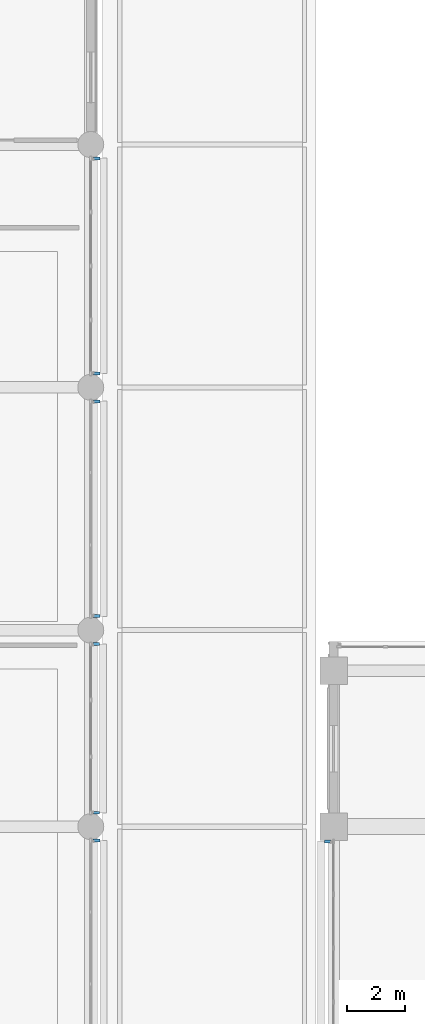
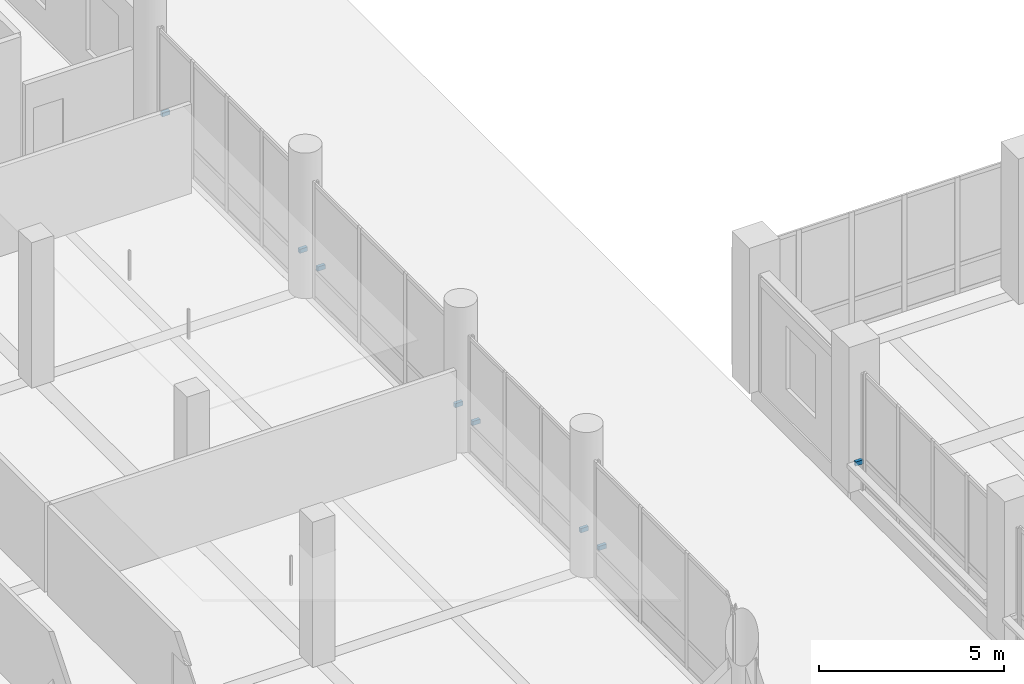
# One storey, part 78 of 128: 8 discrete accessories.
"""IFC4 building model written with IfcOpenShell, lengths in metres."""

from ifc_helpers import new_model, si_unit, direction, frame, origin, origin_2d, place, context, subcontext, project, spatial, rectangle, extrude, material, type_object, element, save


model = new_model("IFC4")

# Units and contexts
model_context = context("Model", 3, precision=1e-05, world=origin(), true_north=direction((0.0, 1.0)))
body_context = subcontext(model_context, "Body", "Model", "MODEL_VIEW")
ifc_project = project(units=[si_unit("LENGTHUNIT", "METRE"), si_unit("AREAUNIT", "SQUARE_METRE"), si_unit("VOLUMEUNIT", "CUBIC_METRE"), si_unit("PLANEANGLEUNIT", "RADIAN"), si_unit("MASSUNIT", "GRAM", prefix="KILO")], contexts=[model_context])

# Site, building, storey
site_placement = place(None, origin())
site = spatial("IfcSite", under=ifc_project, at=site_placement, CompositionType="ELEMENT")
building_placement = place(site_placement, origin())
building = spatial("IfcBuilding", under=site, at=building_placement, Name="Telukmera Botanical Conservatory", CompositionType="ELEMENT")
storey_placement = place(building_placement, frame((0.0, 0.0, 5.39990234375)))
storey = spatial("IfcBuildingStorey", under=building, at=storey_placement, Name="L01", CompositionType="ELEMENT", Elevation=5.39990234375)

# Discrete accessories
ifc_material = material(Name="Steel S355", Category="steel")
discrete_accessory_type = type_object("IfcDiscreteAccessoryType", Name="Structural Steel Facade Outrigger Fin Bracket", PredefinedType="BRACKET", material=ifc_material)
for number, where, z_axis, x_axis, name in (
    (1, (42.199951171875, 42.3154296875, 0.88037109375), (0.0, 0.0, 1.0), (0.0, 1.0, 0.0), "Facade Outrigger Bracket V3:L01:E3 B"),
    (2, (42.18994140625, 43.281982421875, 0.88037109375), (0.0, 0.0, 1.0), (0.0, 1.0, 0.0), "Facade Outrigger Bracket V3:L01:E4 A"),
    (3, (42.18994140625, 49.117919921875, 0.88037109375), (0.0, 0.0, 1.0), (0.0, 1.0, 0.0), "Facade Outrigger Bracket V3:L01:E4 B"),
    (4, (42.199951171875, 50.08447265625, 0.88037109375), (0.0, 0.0, 1.0), (0.0, 1.0, 0.0), "Facade Outrigger Bracket V3:L01:E5 A"),
    (5, (42.199951171875, 57.515380859375, 0.88037109375), (0.0, 0.0, 1.0), (0.0, 1.0, 0.0), "Facade Outrigger Bracket V3:L01:E5 B"),
    (6, (42.199951171875, 58.484619140625, 0.88037109375), (0.0, 0.0, 1.0), (0.0, 1.0, 0.0), "Facade Outrigger Bracket V3:L01:E6 A"),
    (7, (42.199951171875, 65.91552734375, 0.88037109375), (0.0, 0.0, 1.0), (0.0, 1.0, 0.0), "Facade Outrigger Bracket V3:L01:E6 B"),
    (8, (50.199951171875, 42.29052734375, 0.88037109375), (0.0, 0.0, 1.0), (0.0, 1.0, 0.0), "Facade Outrigger Bracket V4:L01:W4 B"),
):
    element("IfcDiscreteAccessory", number, at=place(storey_placement, frame(where, z_axis=z_axis, x_axis=x_axis)), inside=storey, type_object=discrete_accessory_type, Name=name, PredefinedType="BRACKET", context=body_context, shape_type="SweptSolid", body=[
        extrude(rectangle(XDim=0.10009765625, YDim=0.239990234375, at=origin_2d()), origin(), (0.0, 0.0, 1.0), 0.139892578125),
    ])

save(model, "model.ifc")
